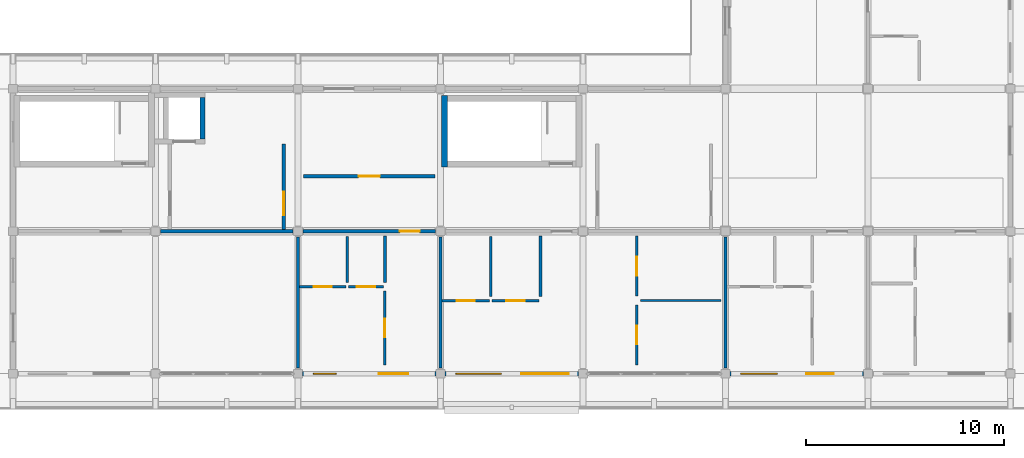
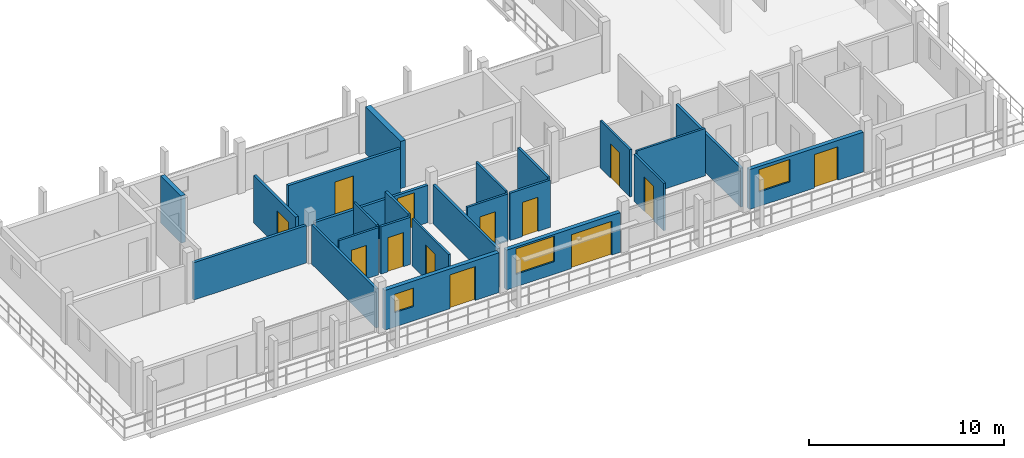
# One storey, part 37 of 56: 24 walls, 13 doors, 3 windows, 16 openings.
"""IFC4 building model written with IfcOpenShell, lengths in metres."""

from ifc_helpers import new_model, si_unit, direction, frame, frame_2d, origin, place, context, subcontext, project, spatial, rectangle, extrude, material, layer, layer_set, type_object, element, fill, save


model = new_model("IFC4")

# Units and contexts
model_context = context("Model", 3, precision=1e-05, world=origin(), true_north=direction((0.0, 1.0)))
body_context = subcontext(model_context, "Body", "Model", "MODEL_VIEW")
ifc_project = project(units=[si_unit("LENGTHUNIT", "METRE"), si_unit("AREAUNIT", "SQUARE_METRE"), si_unit("VOLUMEUNIT", "CUBIC_METRE"), si_unit("PLANEANGLEUNIT", "RADIAN"), si_unit("MASSUNIT", "GRAM", prefix="KILO")], contexts=[model_context])

# Site, building, storey
site_placement = place(None, origin())
site = spatial("IfcSite", under=ifc_project, at=site_placement, CompositionType="ELEMENT")
building_placement = place(site_placement, origin())
building = spatial("IfcBuilding", under=site, at=building_placement, Name="Suanplinth Sawtooth Commons", CompositionType="ELEMENT")
storey_placement = place(building_placement, frame((0.0, 0.0, 34.800048828125)))
storey = spatial("IfcBuildingStorey", under=building, at=storey_placement, Name="L10", CompositionType="ELEMENT", Elevation=34.800048828125)

# Wall
ifc_material_1 = material(Name="Concrete C40/50", Category="concrete")
ifc_layer_1 = layer(ifc_material_1, 0.300048828125, Name="Standard RC stair and lift core wall 300mm")
ifc_layer_set_1 = layer_set([ifc_layer_1], Name="Concrete C40/50")
wall_type_1 = type_object("IfcWallType", Name="W-CR02", PredefinedType="SHEAR", material=ifc_layer_set_1)
wall_1_placement = place(storey_placement, frame((158.60009765625, 10.449951171875, 0.0), z_axis=(0.0, 0.0, 1.0), x_axis=(0.0, 1.0, 0.0)))
element("IfcWall", 1, at=wall_1_placement, inside=storey, type_object=wall_type_1, Name="W-L10-C-C2-STW", PredefinedType="SHEAR", context=body_context, shape_type="SweptSolid", body=[
    extrude(rectangle(XDim=3.60009765625, YDim=0.300048828125, at=frame_2d((1.800048828125, 0.0))), origin(), (0.0, 0.0, 1.0), 2.9599609375),
])

# Wall, openings, door, window
ifc_material_2 = material(Name="Precast concrete C40/50", Category="concrete")
ifc_layer_2 = layer(ifc_material_2, 0.239990234375, Name="Upper insulated precast facade wall 240mm")
ifc_layer_set_2 = layer_set([ifc_layer_2], Name="Precast concrete C40/50")
wall_type_2 = type_object("IfcWallType", Name="W-EX03", PredefinedType="ELEMENTEDWALL", material=ifc_layer_set_2)
wall_2_placement = place(storey_placement, frame((151.425048828125, 0.0, 0.0), z_axis=(0.0, 0.0, 1.0), x_axis=(1.0, 0.0, 0.0)))
wall_2 = element("IfcWall", 2, at=wall_2_placement, inside=storey, type_object=wall_type_2, Name="Facade Wall W-L10-C-S-21-0", PredefinedType="ELEMENTEDWALL", context=body_context, shape_type="SweptSolid", body=[
    extrude(rectangle(XDim=6.75, YDim=0.239990234375, at=frame_2d((3.375, 0.0))), origin(), (0.0, 0.0, 1.0), 2.494873046875),
])
opening_1_placement = place(wall_2_placement, frame((3.85009765625, 0.0, 0.0)))
opening_1 = element("IfcOpeningElement", 3, at=opening_1_placement, cuts=wall_2, Name="Opening ED0766", PredefinedType="OPENING", context=body_context, shape_type="SweptSolid", body=[
    extrude(rectangle(XDim=1.5, YDim=2.1201171875, at=frame_2d((0.75, 1.06005859375))), frame((0.0, 0.134765625, 0.0), z_axis=(0.0, -1.0, 0.0), x_axis=(1.0, 0.0, 0.0)), (0.0, 0.0, 1.0), 0.269775390625),
])
opening_2_placement = place(wall_2_placement, frame((0.550048828125, 0.0, 0.89990234375)))
opening_2 = element("IfcOpeningElement", 4, at=opening_2_placement, cuts=wall_2, Name="Opening W0851", PredefinedType="OPENING", context=body_context, shape_type="SweptSolid", body=[
    extrude(rectangle(XDim=1.14990234375, YDim=1.14990234375, at=frame_2d((0.574951171875, 0.574951171875))), frame((0.0, 0.134765625, 0.0), z_axis=(0.0, -1.0, 0.0), x_axis=(1.0, 0.0, 0.0)), (0.0, 0.0, 1.0), 0.269775390625),
])
ifc_material_3 = material(Name="Anodized aluminium and low-E glass", Category="aluminium")
door_type_1 = type_object("IfcDoorType", Name="SD-03", OperationType="SLIDING_TO_LEFT", PredefinedType="DOOR", material=ifc_material_3)
door_1_placement = place(opening_1_placement, frame((1.5, 0.0, 0.0), z_axis=(0.0, 0.0, 1.0), x_axis=(-1.0, 0.0, 0.0)))
door_1 = element("IfcDoor", 5, at=door_1_placement, inside=storey, type_object=door_type_1, Name="Balcony Sliding Door L10-C-21", OperationType="SLIDING_TO_LEFT", OverallHeight=2.1201171875, OverallWidth=1.5, PredefinedType="DOOR", context=body_context, shape_type="SweptSolid", body=[
    extrude(rectangle(XDim=1.5, YDim=2.1201171875, at=frame_2d((0.75, 1.06005859375))), frame((0.0, 0.02490234375, 0.0), z_axis=(0.0, -1.0, 0.0), x_axis=(1.0, 0.0, 0.0)), (0.0, 0.0, 1.0), 0.050048828125),
])
fill(opening_1, door_1)
ifc_material_4 = material(Name="Thermally broken aluminium and low-E double glazing", Category="aluminium")
window_type_1 = type_object("IfcWindowType", Name="WN-20", PartitioningType="SINGLE_PANEL", PredefinedType="WINDOW", material=ifc_material_4)
window_1_placement = place(opening_2_placement, origin())
window_1 = element("IfcWindow", 6, at=window_1_placement, inside=storey, type_object=window_type_1, Name="Apartment Window L10-C-21", OverallHeight=1.14990234375, OverallWidth=1.14990234375, PartitioningType="SINGLE_PANEL", PredefinedType="WINDOW", context=body_context, shape_type="SweptSolid", body=[
    extrude(rectangle(XDim=1.14990234375, YDim=1.14990234375, at=frame_2d((0.574951171875, 0.574951171875))), frame((0.0, 0.030029296875, 0.0), z_axis=(0.0, -1.0, 0.0), x_axis=(1.0, 0.0, 0.0)), (0.0, 0.0, 1.0), 0.06005859375),
])
fill(opening_2, window_1)

wall_3_placement = place(storey_placement, frame((158.625, 0.0, 0.0), z_axis=(0.0, 0.0, 1.0), x_axis=(1.0, 0.0, 0.0)))
wall_3 = element("IfcWall", 7, at=wall_3_placement, inside=storey, type_object=wall_type_2, Name="Facade Wall W-L10-C-S-22-0", PredefinedType="ELEMENTEDWALL", context=body_context, shape_type="SweptSolid", body=[
    extrude(rectangle(XDim=6.75, YDim=0.239990234375, at=frame_2d((3.375, 0.0))), origin(), (0.0, 0.0, 1.0), 2.494873046875),
])
opening_3_placement = place(wall_3_placement, frame((3.85009765625, 0.0, 0.0)))
opening_3 = element("IfcOpeningElement", 8, at=opening_3_placement, cuts=wall_3, Name="Opening ED0768", PredefinedType="OPENING", context=body_context, shape_type="SweptSolid", body=[
    extrude(rectangle(XDim=2.39990234375, YDim=2.1201171875, at=frame_2d((1.199951171875, 1.06005859375))), frame((0.0, 0.134765625, 0.0), z_axis=(0.0, -1.0, 0.0), x_axis=(1.0, 0.0, 0.0)), (0.0, 0.0, 1.0), 0.269775390625),
])
opening_4_placement = place(wall_3_placement, frame((0.550048828125, 0.0, 0.784912109375)))
opening_4 = element("IfcOpeningElement", 9, at=opening_4_placement, cuts=wall_3, Name="Opening W0853", PredefinedType="OPENING", context=body_context, shape_type="SweptSolid", body=[
    extrude(rectangle(XDim=2.300048828125, YDim=1.60009765625, at=frame_2d((1.14990234375, 0.800048828125))), frame((0.0, 0.134765625, 0.0), z_axis=(0.0, -1.0, 0.0), x_axis=(1.0, 0.0, 0.0)), (0.0, 0.0, 1.0), 0.269775390625),
])
door_type_2 = type_object("IfcDoorType", Name="SD-04", OperationType="DOUBLE_DOOR_SLIDING", PredefinedType="DOOR", material=ifc_material_3)
door_2_placement = place(opening_3_placement, frame((2.39990234375, 0.0, 0.0), z_axis=(0.0, 0.0, 1.0), x_axis=(-1.0, 0.0, 0.0)))
door_2 = element("IfcDoor", 10, at=door_2_placement, inside=storey, type_object=door_type_2, Name="Balcony Sliding Door L10-C-22", OperationType="DOUBLE_DOOR_SLIDING", OverallHeight=2.1201171875, OverallWidth=2.39990234375, PredefinedType="DOOR", context=body_context, shape_type="SweptSolid", body=[
    extrude(rectangle(XDim=2.39990234375, YDim=2.1201171875, at=frame_2d((1.199951171875, 1.06005859375))), frame((0.0, 0.02490234375, 0.0), z_axis=(0.0, -1.0, 0.0), x_axis=(1.0, 0.0, 0.0)), (0.0, 0.0, 1.0), 0.050048828125),
])
fill(opening_3, door_2)
window_type_2 = type_object("IfcWindowType", Name="WN-21", PartitioningType="TRIPLE_PANEL_VERTICAL", PredefinedType="WINDOW", material=ifc_material_4)
window_2_placement = place(opening_4_placement, origin())
window_2 = element("IfcWindow", 11, at=window_2_placement, inside=storey, type_object=window_type_2, Name="Apartment Window L10-C-22", OverallHeight=1.60009765625, OverallWidth=2.300048828125, PartitioningType="TRIPLE_PANEL_VERTICAL", PredefinedType="WINDOW", context=body_context, shape_type="SweptSolid", body=[
    extrude(rectangle(XDim=2.300048828125, YDim=1.60009765625, at=frame_2d((1.14990234375, 0.800048828125))), frame((0.0, 0.030029296875, 0.0), z_axis=(0.0, -1.0, 0.0), x_axis=(1.0, 0.0, 0.0)), (0.0, 0.0, 1.0), 0.06005859375),
])
fill(opening_4, window_2)

wall_4_placement = place(storey_placement, frame((173.02490234375, 0.0, 0.0), z_axis=(0.0, 0.0, 1.0), x_axis=(1.0, 0.0, 0.0)))
wall_4 = element("IfcWall", 12, at=wall_4_placement, inside=storey, type_object=wall_type_2, Name="Facade Wall W-L10-C-S-24-0", PredefinedType="ELEMENTEDWALL", context=body_context, shape_type="SweptSolid", body=[
    extrude(rectangle(XDim=6.75, YDim=0.239990234375, at=frame_2d((3.375, 0.0))), origin(), (0.0, 0.0, 1.0), 2.494873046875),
])
opening_5_placement = place(wall_4_placement, frame((3.85009765625, 0.0, 0.0)))
opening_5 = element("IfcOpeningElement", 13, at=opening_5_placement, cuts=wall_4, Name="Opening ED0769", PredefinedType="OPENING", context=body_context, shape_type="SweptSolid", body=[
    extrude(rectangle(XDim=1.39990234375, YDim=2.10009765625, at=frame_2d((0.699951171875, 1.050048828125))), frame((0.0, 0.134765625, 0.0), z_axis=(0.0, -1.0, 0.0), x_axis=(1.0, 0.0, 0.0)), (0.0, 0.0, 1.0), 0.269775390625),
])
opening_6_placement = place(wall_4_placement, frame((0.550048828125, 0.0, 0.89990234375)))
opening_6 = element("IfcOpeningElement", 14, at=opening_6_placement, cuts=wall_4, Name="Opening W0856", PredefinedType="OPENING", context=body_context, shape_type="SweptSolid", body=[
    extrude(rectangle(XDim=1.85009765625, YDim=1.39990234375, at=frame_2d((0.925048828125, 0.699951171875))), frame((0.0, 0.134765625, 0.0), z_axis=(0.0, -1.0, 0.0), x_axis=(1.0, 0.0, 0.0)), (0.0, 0.0, 1.0), 0.269775390625),
])
door_type_3 = type_object("IfcDoorType", Name="SD-07", OperationType="SLIDING_TO_RIGHT", PredefinedType="DOOR", material=ifc_material_3)
door_3_placement = place(opening_5_placement, frame((1.39990234375, 0.0, 0.0), z_axis=(0.0, 0.0, 1.0), x_axis=(-1.0, 0.0, 0.0)))
door_3 = element("IfcDoor", 15, at=door_3_placement, inside=storey, type_object=door_type_3, Name="Balcony Sliding Door L10-C-24", OperationType="SLIDING_TO_RIGHT", OverallHeight=2.10009765625, OverallWidth=1.39990234375, PredefinedType="DOOR", context=body_context, shape_type="SweptSolid", body=[
    extrude(rectangle(XDim=1.39990234375, YDim=2.10009765625, at=frame_2d((0.699951171875, 1.050048828125))), frame((0.0, 0.02490234375, 0.0), z_axis=(0.0, -1.0, 0.0), x_axis=(1.0, 0.0, 0.0)), (0.0, 0.0, 1.0), 0.050048828125),
])
fill(opening_5, door_3)
window_type_3 = type_object("IfcWindowType", Name="WN-23", PartitioningType="DOUBLE_PANEL_VERTICAL", PredefinedType="WINDOW", material=ifc_material_4)
window_3_placement = place(opening_6_placement, origin())
window_3 = element("IfcWindow", 16, at=window_3_placement, inside=storey, type_object=window_type_3, Name="Apartment Window L10-C-24", OverallHeight=1.39990234375, OverallWidth=1.85009765625, PartitioningType="DOUBLE_PANEL_VERTICAL", PredefinedType="WINDOW", context=body_context, shape_type="SweptSolid", body=[
    extrude(rectangle(XDim=1.85009765625, YDim=1.39990234375, at=frame_2d((0.925048828125, 0.699951171875))), frame((0.0, 0.030029296875, 0.0), z_axis=(0.0, -1.0, 0.0), x_axis=(1.0, 0.0, 0.0)), (0.0, 0.0, 1.0), 0.06005859375),
])
fill(opening_6, window_3)

# Wall, opening, door
ifc_layer_3 = layer(ifc_material_2, 0.159912109375, Name="Fire-rated corridor and lobby wall 160mm")
ifc_layer_set_3 = layer_set([ifc_layer_3], Name="Precast concrete C40/50")
wall_type_3 = type_object("IfcWallType", Name="W-FW01", PredefinedType="PARTITIONING", material=ifc_layer_set_3)
wall_5_placement = place(storey_placement, frame((150.47998046875, 7.280029296875, 0.0), z_axis=(0.0, 0.0, 1.0), x_axis=(0.0, 1.0, 0.0)))
wall_5 = element("IfcWall", 17, at=wall_5_placement, inside=storey, type_object=wall_type_3, Name="W-L10-C-C1-LOB-E", PredefinedType="PARTITIONING", context=body_context, shape_type="SweptSolid", body=[
    extrude(rectangle(XDim=4.320068359375, YDim=0.159912109375, at=frame_2d((2.16015625, 0.0))), origin(), (0.0, 0.0, 1.0), 2.9599609375),
])
opening_7_placement = place(wall_5_placement, frame((0.719970703125, 0.0, 0.0)))
opening_7 = element("IfcOpeningElement", 18, at=opening_7_placement, cuts=wall_5, Name="Opening FD0322", PredefinedType="OPENING", context=body_context, shape_type="SweptSolid", body=[
    extrude(rectangle(XDim=1.199951171875, YDim=2.199951171875, at=frame_2d((0.60009765625, 1.10009765625))), frame((0.0, 0.0947265625, 0.0), z_axis=(0.0, -1.0, 0.0), x_axis=(1.0, 0.0, 0.0)), (0.0, 0.0, 1.0), 0.189697265625),
])
ifc_material_5 = material(Name="Teak hardwood fire-rated door assembly", Category="wood")
door_type_4 = type_object("IfcDoorType", Name="FD-02", OperationType="NOTDEFINED", PredefinedType="DOOR", material=ifc_material_5)
door_4_placement = place(opening_7_placement, frame((1.199951171875, 0.0, 0.0), z_axis=(0.0, 0.0, 1.0), x_axis=(-1.0, 0.0, 0.0)))
door_4 = element("IfcDoor", 19, at=door_4_placement, inside=storey, type_object=door_type_4, Name="Lobby Fire Door FD0322", OperationType="SINGLE_SWING_RIGHT", OverallHeight=2.199951171875, OverallWidth=1.199951171875, PredefinedType="DOOR", context=body_context, shape_type="SweptSolid", body=[
    extrude(rectangle(XDim=1.199951171875, YDim=2.199951171875, at=frame_2d((0.60009765625, 1.10009765625))), frame((0.0, 0.02490234375, 0.0), z_axis=(0.0, -1.0, 0.0), x_axis=(1.0, 0.0, 0.0)), (0.0, 0.0, 1.0), 0.050048828125),
])
fill(opening_7, door_4)

# Wall
wall_6_placement = place(storey_placement, frame((144.2548828125, 7.199951171875, 0.0), z_axis=(0.0, 0.0, 1.0), x_axis=(1.0, 0.0, 0.0)))
element("IfcWall", 20, at=wall_6_placement, inside=storey, type_object=wall_type_3, Name="W-C-L10-U01-COR-S2", PredefinedType="PARTITIONING", context=body_context, shape_type="SweptSolid", body=[
    extrude(rectangle(XDim=6.690185546875, YDim=0.159912109375, at=frame_2d((3.34521484375, 0.0))), origin(), (0.0, 0.0, 1.0), 2.344970703125),
])

# Wall, opening, door
wall_7_placement = place(storey_placement, frame((151.455078125, 7.199951171875, 0.0), z_axis=(0.0, 0.0, 1.0), x_axis=(1.0, 0.0, 0.0)))
wall_7 = element("IfcWall", 21, at=wall_7_placement, inside=storey, type_object=wall_type_3, Name="W-C-L10-U02-COR", PredefinedType="PARTITIONING", context=body_context, shape_type="SweptSolid", body=[
    extrude(rectangle(XDim=6.68994140625, YDim=0.159912109375, at=frame_2d((3.344970703125, 0.0))), origin(), (0.0, 0.0, 1.0), 2.344970703125),
])
opening_8_placement = place(wall_7_placement, frame((4.89501953125, 0.0, 0.0)))
opening_8 = element("IfcOpeningElement", 22, at=opening_8_placement, cuts=wall_7, Name="Opening FD1905", PredefinedType="OPENING", context=body_context, shape_type="SweptSolid", body=[
    extrude(rectangle(XDim=1.0, YDim=2.14990234375, at=frame_2d((0.5, 1.074951171875))), frame((0.0, 0.0947265625, 0.0), z_axis=(0.0, -1.0, 0.0), x_axis=(1.0, 0.0, 0.0)), (0.0, 0.0, 1.0), 0.189697265625),
])
door_type_5 = type_object("IfcDoorType", Name="FD-03", OperationType="NOTDEFINED", PredefinedType="DOOR", material=ifc_material_5)
door_5_placement = place(opening_8_placement, frame((1.0, 0.0, 0.0), z_axis=(0.0, 0.0, 1.0), x_axis=(-1.0, 0.0, 0.0)))
door_5 = element("IfcDoor", 23, at=door_5_placement, inside=storey, type_object=door_type_5, Name="Unit Entrance Door FD1905", OperationType="SINGLE_SWING_LEFT", OverallHeight=2.14990234375, OverallWidth=1.0, PredefinedType="DOOR", context=body_context, shape_type="SweptSolid", body=[
    extrude(rectangle(XDim=1.0, YDim=2.14990234375, at=frame_2d((0.5, 1.074951171875))), frame((0.0, 0.02490234375, 0.0), z_axis=(0.0, -1.0, 0.0), x_axis=(1.0, 0.0, 0.0)), (0.0, 0.0, 1.0), 0.050048828125),
])
fill(opening_8, door_5)

wall_8_placement = place(storey_placement, frame((151.47998046875, 9.97998046875, 0.0), z_axis=(0.0, 0.0, 1.0), x_axis=(1.0, 0.0, 0.0)))
wall_8 = element("IfcWall", 24, at=wall_8_placement, inside=storey, type_object=wall_type_3, Name="W-C-L10-COURTROOM-29-COR", PredefinedType="PARTITIONING", context=body_context, shape_type="SweptSolid", body=[
    extrude(rectangle(XDim=6.64013671875, YDim=0.159912109375, at=frame_2d((3.320068359375, 0.0))), origin(), (0.0, 0.0, 1.0), 2.9599609375),
])
opening_9_placement = place(wall_8_placement, frame((2.780029296875, 0.0, 0.0)))
opening_9 = element("IfcOpeningElement", 25, at=opening_9_placement, cuts=wall_8, Name="Opening D1921", PredefinedType="OPENING", context=body_context, shape_type="SweptSolid", body=[
    extrude(rectangle(XDim=1.080078125, YDim=2.219970703125, at=frame_2d((0.5400390625, 1.10986328125))), frame((0.0, 0.0947265625, 0.0), z_axis=(0.0, -1.0, 0.0), x_axis=(1.0, 0.0, 0.0)), (0.0, 0.0, 1.0), 0.189697265625),
])
ifc_material_6 = material(Name="Teak hardwood", Category="wood")
door_type_6 = type_object("IfcDoorType", Name="D-17", OperationType="NOTDEFINED", PredefinedType="DOOR", material=ifc_material_6)
door_6_placement = place(opening_9_placement, origin())
door_6 = element("IfcDoor", 26, at=door_6_placement, inside=storey, type_object=door_type_6, Name="Study Studio Door D1921", OperationType="SINGLE_SWING_LEFT", OverallHeight=2.219970703125, OverallWidth=1.080078125, PredefinedType="DOOR", context=body_context, shape_type="SweptSolid", body=[
    extrude(rectangle(XDim=1.080078125, YDim=2.219970703125, at=frame_2d((0.5400390625, 1.10986328125))), frame((0.0, 0.02490234375, 0.0), z_axis=(0.0, -1.0, 0.0), x_axis=(1.0, 0.0, 0.0)), (0.0, 0.0, 1.0), 0.050048828125),
])
fill(opening_9, door_6)

# Walls
ifc_layer_4 = layer(ifc_material_2, 0.14990234375, Name="Acoustic precast party demising wall 150mm")
ifc_layer_set_4 = layer_set([ifc_layer_4], Name="Precast concrete C40/50")
wall_type_4 = type_object("IfcWallType", Name="W-FW02", PredefinedType="PARTITIONING", material=ifc_layer_set_4)
for number, where, z_axis, x_axis, name in (
    (27, (151.199951171875, 0.280029296875, 0.0), (0.0, 0.0, 1.0), (0.0, 1.0, 0.0), "W-C-L10-U01-PTY"),
    (28, (158.39990234375, 0.280029296875, 0.0), (0.0, 0.0, 1.0), (0.0, 1.0, 0.0), "W-C-L10-U02-PTY"),
    (29, (172.800048828125, 0.280029296875, 0.0), (0.0, 0.0, 1.0), (0.0, 1.0, 0.0), "W-C-L10-U03-PTY"),
):
    element("IfcWall", number, at=place(storey_placement, frame(where, z_axis=z_axis, x_axis=x_axis)), inside=storey, type_object=wall_type_4, Name=name, PredefinedType="PARTITIONING", context=body_context, shape_type="SweptSolid", body=[
        extrude(rectangle(XDim=6.639892578125, YDim=0.14990234375, at=frame_2d((3.31982421875, 0.0))), origin(), (0.0, 0.0, 1.0), 2.445068359375),
    ])

# Wall, opening, door
ifc_material_7 = material(Name="Gypsum plasterboard on steel stud", Category="steel")
ifc_layer_5 = layer(ifc_material_7, 0.139892578125, Name="Fire-rated kitchen partition 140mm")
ifc_layer_set_5 = layer_set([ifc_layer_5], Name="Gypsum plasterboard on steel stud")
wall_type_5 = type_object("IfcWallType", Name="W-PT01", PredefinedType="PARTITIONING", material=ifc_layer_set_5)
wall_9_placement = place(storey_placement, frame((153.75, 4.39990234375, 0.0), z_axis=(0.0, 0.0, 1.0), x_axis=(1.0, 0.0, 0.0)))
wall_9 = element("IfcWall", 30, at=wall_9_placement, inside=storey, type_object=wall_type_5, Name="W-C-L10-U02-KIT1", PredefinedType="PARTITIONING", context=body_context, shape_type="SweptSolid", body=[
    extrude(rectangle(XDim=1.77001953125, YDim=0.139892578125, at=frame_2d((0.885009765625, 0.0))), origin(), (0.0, 0.0, 1.0), 2.9599609375),
])
opening_10_placement = place(wall_9_placement, frame((0.419921875, 0.0, 0.0)))
opening_10 = element("IfcOpeningElement", 31, at=opening_10_placement, cuts=wall_9, Name="Opening D1907", PredefinedType="OPENING", context=body_context, shape_type="SweptSolid", body=[
    extrude(rectangle(XDim=0.929931640625, YDim=2.139892578125, at=frame_2d((0.46484375, 1.06982421875))), frame((0.0, 0.0849609375, 0.0), z_axis=(0.0, -1.0, 0.0), x_axis=(1.0, 0.0, 0.0)), (0.0, 0.0, 1.0), 0.169677734375),
])
door_type_7 = type_object("IfcDoorType", Name="D-19", OperationType="NOTDEFINED", PredefinedType="DOOR", material=ifc_material_6)
door_7_placement = place(opening_10_placement, origin())
door_7 = element("IfcDoor", 32, at=door_7_placement, inside=storey, type_object=door_type_7, Name="Kitchen Door D1907", OperationType="SINGLE_SWING_LEFT", OverallHeight=2.139892578125, OverallWidth=0.929931640625, PredefinedType="DOOR", context=body_context, shape_type="SweptSolid", body=[
    extrude(rectangle(XDim=0.929931640625, YDim=2.139892578125, at=frame_2d((0.46484375, 1.06982421875))), frame((0.0, 0.02490234375, 0.0), z_axis=(0.0, -1.0, 0.0), x_axis=(1.0, 0.0, 0.0)), (0.0, 0.0, 1.0), 0.050048828125),
])
fill(opening_10, door_7)

# Wall
wall_10_placement = place(storey_placement, frame((155.590087890625, 4.6201171875, 0.0), z_axis=(0.0, 0.0, 1.0), x_axis=(0.0, 1.0, 0.0)))
element("IfcWall", 33, at=wall_10_placement, inside=storey, type_object=wall_type_5, Name="W-C-L10-U02-KIT2", PredefinedType="PARTITIONING", context=body_context, shape_type="SweptSolid", body=[
    extrude(rectangle(XDim=2.349853515625, YDim=0.139892578125, at=frame_2d((1.1748046875, 0.0))), origin(), (0.0, 0.0, 1.0), 2.9599609375),
])

# Wall, opening, door
wall_11_placement = place(storey_placement, frame((161.0, 3.68994140625, 0.0), z_axis=(0.0, 0.0, 1.0), x_axis=(1.0, 0.0, 0.0)))
wall_11 = element("IfcWall", 34, at=wall_11_placement, inside=storey, type_object=wall_type_5, Name="W-C-L10-U03-KIT1", PredefinedType="PARTITIONING", context=body_context, shape_type="SweptSolid", body=[
    extrude(rectangle(XDim=2.3798828125, YDim=0.139892578125, at=frame_2d((1.18994140625, 0.0))), origin(), (0.0, 0.0, 1.0), 2.9599609375),
])
opening_11_placement = place(wall_11_placement, frame((0.72509765625, 0.0, 0.0)))
opening_11 = element("IfcOpeningElement", 35, at=opening_11_placement, cuts=wall_11, Name="Opening D1911", PredefinedType="OPENING", context=body_context, shape_type="SweptSolid", body=[
    extrude(rectangle(XDim=0.929931640625, YDim=2.139892578125, at=frame_2d((0.46484375, 1.06982421875))), frame((0.0, 0.0849609375, 0.0), z_axis=(0.0, -1.0, 0.0), x_axis=(1.0, 0.0, 0.0)), (0.0, 0.0, 1.0), 0.169677734375),
])
door_8_placement = place(opening_11_placement, origin())
door_8 = element("IfcDoor", 36, at=door_8_placement, inside=storey, type_object=door_type_7, Name="Kitchen Door D1911", OperationType="SINGLE_SWING_LEFT", OverallHeight=2.139892578125, OverallWidth=0.929931640625, PredefinedType="DOOR", context=body_context, shape_type="SweptSolid", body=[
    extrude(rectangle(XDim=0.929931640625, YDim=2.139892578125, at=frame_2d((0.46484375, 1.06982421875))), frame((0.0, 0.02490234375, 0.0), z_axis=(0.0, -1.0, 0.0), x_axis=(1.0, 0.0, 0.0)), (0.0, 0.0, 1.0), 0.050048828125),
])
fill(opening_11, door_8)

# Wall
wall_12_placement = place(storey_placement, frame((163.449951171875, 3.909912109375, 0.0), z_axis=(0.0, 0.0, 1.0), x_axis=(0.0, 1.0, 0.0)))
element("IfcWall", 37, at=wall_12_placement, inside=storey, type_object=wall_type_5, Name="W-C-L10-U03-KIT2", PredefinedType="PARTITIONING", context=body_context, shape_type="SweptSolid", body=[
    extrude(rectangle(XDim=3.06005859375, YDim=0.139892578125, at=frame_2d((1.530029296875, 0.0))), origin(), (0.0, 0.0, 1.0), 2.9599609375),
])

# Wall, opening, door
ifc_layer_6 = layer(ifc_material_7, 0.1298828125, Name="Moisture-resistant bathroom partition 130mm")
ifc_layer_set_6 = layer_set([ifc_layer_6], Name="Gypsum plasterboard on steel stud")
wall_type_6 = type_object("IfcWallType", Name="W-PT02", PredefinedType="PARTITIONING", material=ifc_layer_set_6)
wall_13_placement = place(storey_placement, frame((151.280029296875, 4.405029296875, 0.0), z_axis=(0.0, 0.0, 1.0), x_axis=(1.0, 0.0, 0.0)))
wall_13 = element("IfcWall", 38, at=wall_13_placement, inside=storey, type_object=wall_type_6, Name="W-C-L10-U02-BTH1", PredefinedType="PARTITIONING", context=body_context, shape_type="SweptSolid", body=[
    extrude(rectangle(XDim=2.349853515625, YDim=0.1298828125, at=frame_2d((1.1748046875, 0.0))), origin(), (0.0, 0.0, 1.0), 2.9599609375),
])
opening_12_placement = place(wall_13_placement, frame((0.72509765625, 0.0, 0.0)))
opening_12 = element("IfcOpeningElement", 39, at=opening_12_placement, cuts=wall_13, Name="Opening D1906", PredefinedType="OPENING", context=body_context, shape_type="SweptSolid", body=[
    extrude(rectangle(XDim=0.89990234375, YDim=2.10009765625, at=frame_2d((0.449951171875, 1.050048828125))), frame((0.0, 0.079833984375, 0.0), z_axis=(0.0, -1.0, 0.0), x_axis=(1.0, 0.0, 0.0)), (0.0, 0.0, 1.0), 0.15966796875),
])
door_type_8 = type_object("IfcDoorType", Name="D-01", OperationType="NOTDEFINED", PredefinedType="DOOR", material=ifc_material_6)
door_9_placement = place(opening_12_placement, origin())
door_9 = element("IfcDoor", 40, at=door_9_placement, inside=storey, type_object=door_type_8, Name="Bathroom Door D1906", OperationType="SINGLE_SWING_RIGHT", OverallHeight=2.10009765625, OverallWidth=0.89990234375, PredefinedType="DOOR", context=body_context, shape_type="SweptSolid", body=[
    extrude(rectangle(XDim=0.89990234375, YDim=2.10009765625, at=frame_2d((0.449951171875, 1.050048828125))), frame((0.0, 0.02490234375, 0.0), z_axis=(0.0, -1.0, 0.0), x_axis=(1.0, 0.0, 0.0)), (0.0, 0.0, 1.0), 0.050048828125),
])
fill(opening_12, door_9)

# Wall
wall_14_placement = place(storey_placement, frame((153.695068359375, 4.610107421875, 0.0), z_axis=(0.0, 0.0, 1.0), x_axis=(0.0, 1.0, 0.0)))
element("IfcWall", 41, at=wall_14_placement, inside=storey, type_object=wall_type_6, Name="W-C-L10-U02-BTH2", PredefinedType="PARTITIONING", context=body_context, shape_type="SweptSolid", body=[
    extrude(rectangle(XDim=2.329833984375, YDim=0.1298828125, at=frame_2d((1.1650390625, 0.0))), origin(), (0.0, 0.0, 1.0), 2.9599609375),
])

# Wall, opening, door
wall_15_placement = place(storey_placement, frame((158.47998046875, 3.695068359375, 0.0), z_axis=(0.0, 0.0, 1.0), x_axis=(1.0, 0.0, 0.0)))
wall_15 = element("IfcWall", 42, at=wall_15_placement, inside=storey, type_object=wall_type_6, Name="W-C-L10-U03-BTH1", PredefinedType="PARTITIONING", context=body_context, shape_type="SweptSolid", body=[
    extrude(rectangle(XDim=2.39990234375, YDim=0.1298828125, at=frame_2d((1.199951171875, 0.0))), origin(), (0.0, 0.0, 1.0), 2.9599609375),
])
opening_13_placement = place(wall_15_placement, frame((0.75, 0.0, 0.0)))
opening_13 = element("IfcOpeningElement", 43, at=opening_13_placement, cuts=wall_15, Name="Opening D1910", PredefinedType="OPENING", context=body_context, shape_type="SweptSolid", body=[
    extrude(rectangle(XDim=0.89990234375, YDim=2.10009765625, at=frame_2d((0.449951171875, 1.050048828125))), frame((0.0, 0.079833984375, 0.0), z_axis=(0.0, -1.0, 0.0), x_axis=(1.0, 0.0, 0.0)), (0.0, 0.0, 1.0), 0.15966796875),
])
door_10_placement = place(opening_13_placement, origin())
door_10 = element("IfcDoor", 44, at=door_10_placement, inside=storey, type_object=door_type_8, Name="Bathroom Door D1910", OperationType="SINGLE_SWING_RIGHT", OverallHeight=2.10009765625, OverallWidth=0.89990234375, PredefinedType="DOOR", context=body_context, shape_type="SweptSolid", body=[
    extrude(rectangle(XDim=0.89990234375, YDim=2.10009765625, at=frame_2d((0.449951171875, 1.050048828125))), frame((0.0, 0.02490234375, 0.0), z_axis=(0.0, -1.0, 0.0), x_axis=(1.0, 0.0, 0.0)), (0.0, 0.0, 1.0), 0.050048828125),
])
fill(opening_13, door_10)

# Wall
wall_16_placement = place(storey_placement, frame((160.945068359375, 3.89990234375, 0.0), z_axis=(0.0, 0.0, 1.0), x_axis=(0.0, 1.0, 0.0)))
element("IfcWall", 45, at=wall_16_placement, inside=storey, type_object=wall_type_6, Name="W-C-L10-U03-BTH2", PredefinedType="PARTITIONING", context=body_context, shape_type="SweptSolid", body=[
    extrude(rectangle(XDim=3.0400390625, YDim=0.1298828125, at=frame_2d((1.52001953125, 0.0))), origin(), (0.0, 0.0, 1.0), 2.9599609375),
])

# Wall, opening, door
ifc_layer_7 = layer(ifc_material_7, 0.1201171875, Name="Acoustic bedroom partition 120mm")
ifc_layer_set_7 = layer_set([ifc_layer_7], Name="Gypsum plasterboard on steel stud")
wall_type_7 = type_object("IfcWallType", Name="W-PT03", PredefinedType="PARTITIONING", material=ifc_layer_set_7)
wall_17_placement = place(storey_placement, frame((155.580078125, 0.43994140625, 0.0), z_axis=(0.0, 0.0, 1.0), x_axis=(0.0, 1.0, 0.0)))
wall_17 = element("IfcWall", 46, at=wall_17_placement, inside=storey, type_object=wall_type_7, Name="W-C-L10-U02-BED1", PredefinedType="PARTITIONING", context=body_context, shape_type="SweptSolid", body=[
    extrude(rectangle(XDim=3.75, YDim=0.1201171875, at=frame_2d((1.875, 0.0))), origin(), (0.0, 0.0, 1.0), 2.9599609375),
])
opening_14_placement = place(wall_17_placement, frame((1.39990234375, 0.0, 0.0)))
opening_14 = element("IfcOpeningElement", 47, at=opening_14_placement, cuts=wall_17, Name="Opening D1908", PredefinedType="OPENING", context=body_context, shape_type="SweptSolid", body=[
    extrude(rectangle(XDim=0.949951171875, YDim=2.14990234375, at=frame_2d((0.47509765625, 1.074951171875))), frame((0.0, 0.074951171875, 0.0), z_axis=(0.0, -1.0, 0.0), x_axis=(1.0, 0.0, 0.0)), (0.0, 0.0, 1.0), 0.14990234375),
])
door_type_9 = type_object("IfcDoorType", Name="D-03", OperationType="NOTDEFINED", PredefinedType="DOOR", material=ifc_material_6)
door_11_placement = place(opening_14_placement, origin())
door_11 = element("IfcDoor", 48, at=door_11_placement, inside=storey, type_object=door_type_9, Name="Bedroom Door D1908", OperationType="SINGLE_SWING_RIGHT", OverallHeight=2.14990234375, OverallWidth=0.949951171875, PredefinedType="DOOR", context=body_context, shape_type="SweptSolid", body=[
    extrude(rectangle(XDim=0.949951171875, YDim=2.14990234375, at=frame_2d((0.47509765625, 1.074951171875))), frame((0.0, 0.02490234375, 0.0), z_axis=(0.0, -1.0, 0.0), x_axis=(1.0, 0.0, 0.0)), (0.0, 0.0, 1.0), 0.050048828125),
])
fill(opening_14, door_11)

wall_18_placement = place(storey_placement, frame((168.320068359375, 0.43994140625, 0.0), z_axis=(0.0, 0.0, 1.0), x_axis=(0.0, 1.0, 0.0)))
wall_18 = element("IfcWall", 49, at=wall_18_placement, inside=storey, type_object=wall_type_7, Name="W-C-L10-U03-BED1", PredefinedType="PARTITIONING", context=body_context, shape_type="SweptSolid", body=[
    extrude(rectangle(XDim=3.0400390625, YDim=0.1201171875, at=frame_2d((1.52001953125, 0.0))), origin(), (0.0, 0.0, 1.0), 2.9599609375),
])
opening_15_placement = place(wall_18_placement, frame((1.044921875, 0.0, 0.0)))
opening_15 = element("IfcOpeningElement", 50, at=opening_15_placement, cuts=wall_18, Name="Opening D1912", PredefinedType="OPENING", context=body_context, shape_type="SweptSolid", body=[
    extrude(rectangle(XDim=0.949951171875, YDim=2.14990234375, at=frame_2d((0.47509765625, 1.074951171875))), frame((0.0, 0.074951171875, 0.0), z_axis=(0.0, -1.0, 0.0), x_axis=(1.0, 0.0, 0.0)), (0.0, 0.0, 1.0), 0.14990234375),
])
door_12_placement = place(opening_15_placement, frame((0.949951171875, 0.0, 0.0), z_axis=(0.0, 0.0, 1.0), x_axis=(-1.0, 0.0, 0.0)))
door_12 = element("IfcDoor", 51, at=door_12_placement, inside=storey, type_object=door_type_9, Name="Bedroom Door D1912", OperationType="SINGLE_SWING_RIGHT", OverallHeight=2.14990234375, OverallWidth=0.949951171875, PredefinedType="DOOR", context=body_context, shape_type="SweptSolid", body=[
    extrude(rectangle(XDim=0.949951171875, YDim=2.14990234375, at=frame_2d((0.47509765625, 1.074951171875))), frame((0.0, 0.02490234375, 0.0), z_axis=(0.0, -1.0, 0.0), x_axis=(1.0, 0.0, 0.0)), (0.0, 0.0, 1.0), 0.050048828125),
])
fill(opening_15, door_12)

wall_19_placement = place(storey_placement, frame((168.320068359375, 3.919921875, 0.0), z_axis=(0.0, 0.0, 1.0), x_axis=(0.0, 1.0, 0.0)))
wall_19 = element("IfcWall", 52, at=wall_19_placement, inside=storey, type_object=wall_type_7, Name="W-C-L10-U03-BED2", PredefinedType="PARTITIONING", context=body_context, shape_type="SweptSolid", body=[
    extrude(rectangle(XDim=3.0400390625, YDim=0.1201171875, at=frame_2d((1.52001953125, 0.0))), origin(), (0.0, 0.0, 1.0), 2.9599609375),
])
opening_16_placement = place(wall_19_placement, frame((1.0400390625, 0.0, 0.0)))
opening_16 = element("IfcOpeningElement", 53, at=opening_16_placement, cuts=wall_19, Name="Opening D1913", PredefinedType="OPENING", context=body_context, shape_type="SweptSolid", body=[
    extrude(rectangle(XDim=0.9599609375, YDim=2.14990234375, at=frame_2d((0.47998046875, 1.074951171875))), frame((0.0, 0.074951171875, 0.0), z_axis=(0.0, -1.0, 0.0), x_axis=(1.0, 0.0, 0.0)), (0.0, 0.0, 1.0), 0.14990234375),
])
door_type_10 = type_object("IfcDoorType", Name="D-13", OperationType="NOTDEFINED", PredefinedType="DOOR", material=ifc_material_6)
door_13_placement = place(opening_16_placement, frame((0.9599609375, 0.0, 0.0), z_axis=(0.0, 0.0, 1.0), x_axis=(-1.0, 0.0, 0.0)))
door_13 = element("IfcDoor", 54, at=door_13_placement, inside=storey, type_object=door_type_10, Name="Second Bedroom Door D1913", OperationType="SINGLE_SWING_LEFT", OverallHeight=2.14990234375, OverallWidth=0.9599609375, PredefinedType="DOOR", context=body_context, shape_type="SweptSolid", body=[
    extrude(rectangle(XDim=0.9599609375, YDim=2.14990234375, at=frame_2d((0.47998046875, 1.074951171875))), frame((0.0, 0.02490234375, 0.0), z_axis=(0.0, -1.0, 0.0), x_axis=(1.0, 0.0, 0.0)), (0.0, 0.0, 1.0), 0.050048828125),
])
fill(opening_16, door_13)

# Walls
ifc_layer_8 = layer(ifc_material_7, 0.125, Name="Acoustic study partition 125mm")
ifc_layer_set_8 = layer_set([ifc_layer_8], Name="Gypsum plasterboard on steel stud")
wall_type_8 = type_object("IfcWallType", Name="W-PT06", PredefinedType="PARTITIONING", material=ifc_layer_set_8)
wall_20_placement = place(storey_placement, frame((168.52001953125, 3.699951171875, 0.0), z_axis=(0.0, 0.0, 1.0), x_axis=(1.0, 0.0, 0.0)))
element("IfcWall", 55, at=wall_20_placement, inside=storey, type_object=wall_type_8, Name="W-C-L10-U03-BEDDIV", PredefinedType="PARTITIONING", context=body_context, shape_type="SweptSolid", body=[
    extrude(rectangle(XDim=4.06005859375, YDim=0.125, at=frame_2d((2.030029296875, 0.0))), origin(), (0.0, 0.0, 1.0), 2.9599609375),
])
ifc_layer_9 = layer(ifc_material_2, 0.25, Name="Precast structural shear wall 250mm")
ifc_layer_set_9 = layer_set([ifc_layer_9], Name="Precast concrete C40/50")
wall_type_9 = type_object("IfcWallType", Name="W-SH01", PredefinedType="SHEAR", material=ifc_layer_set_9)
wall_21_placement = place(storey_placement, frame((146.375, 11.85009765625, 0.0), z_axis=(0.0, 0.0, 1.0), x_axis=(0.0, 1.0, 0.0)))
element("IfcWall", 56, at=wall_21_placement, inside=storey, type_object=wall_type_9, Name="W-L10-LF5-E", PredefinedType="SHEAR", context=body_context, shape_type="SweptSolid", body=[
    extrude(rectangle(XDim=2.099853515625, YDim=0.25, at=frame_2d((1.0498046875, 0.0))), origin(), (0.0, 0.0, 1.0), 2.9599609375),
])

save(model, "model.ifc")
